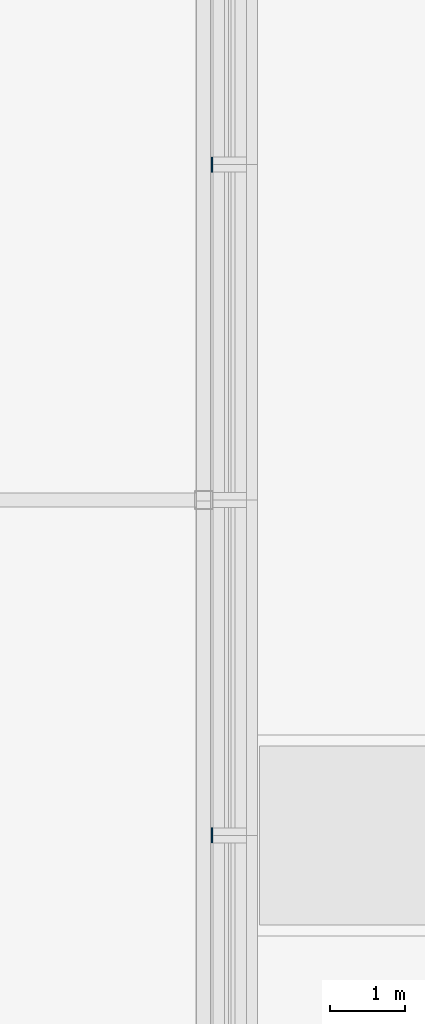
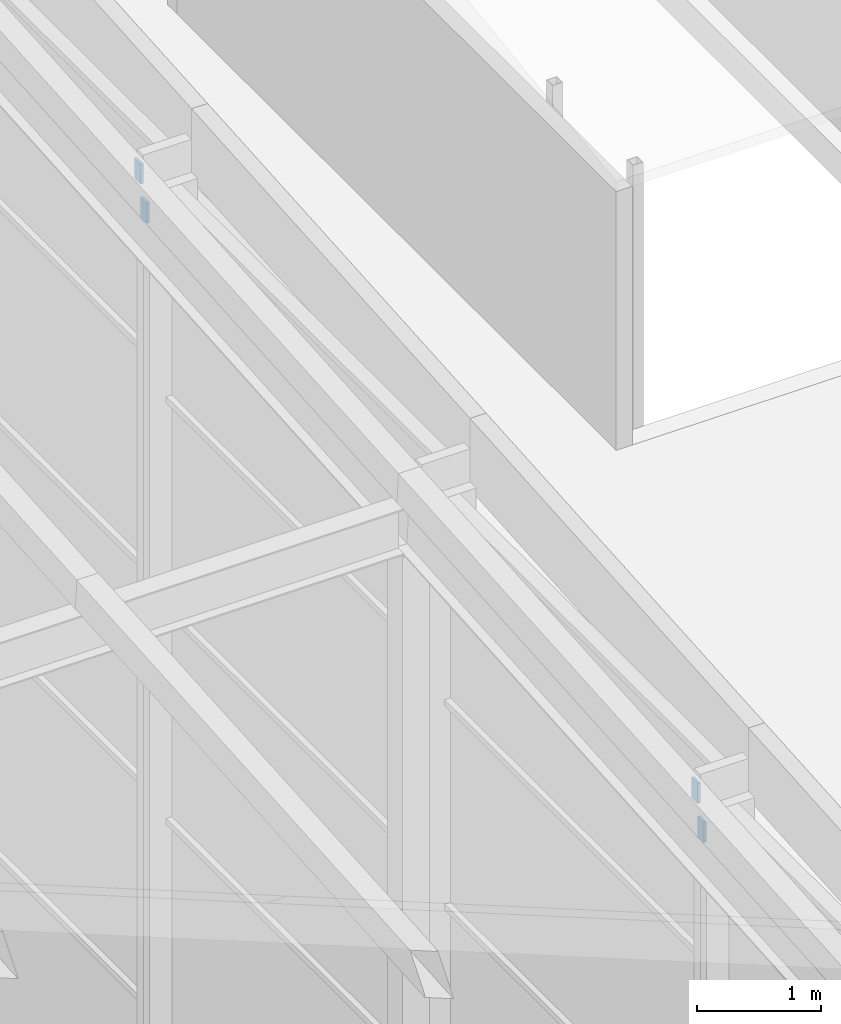
# One storey, part 69 of 84: 4 discrete accessories.
"""IFC4 building model written with IfcOpenShell, lengths in metres."""

from ifc_helpers import new_model, si_unit, direction, frame, origin, origin_2d, place, context, subcontext, project, spatial, rectangle, extrude, material, type_object, element, save


model = new_model("IFC4")

# Units and contexts
model_context = context("Model", 3, precision=1e-05, world=origin(), true_north=direction((0.0, 1.0)))
body_context = subcontext(model_context, "Body", "Model", "MODEL_VIEW")
ifc_project = project(units=[si_unit("LENGTHUNIT", "METRE"), si_unit("AREAUNIT", "SQUARE_METRE"), si_unit("VOLUMEUNIT", "CUBIC_METRE"), si_unit("PLANEANGLEUNIT", "RADIAN"), si_unit("MASSUNIT", "GRAM", prefix="KILO")], contexts=[model_context])

# Site, building, storey
site_placement = place(None, origin())
site = spatial("IfcSite", under=ifc_project, at=site_placement, CompositionType="ELEMENT")
building_placement = place(site_placement, origin())
building = spatial("IfcBuilding", under=site, at=building_placement, Name="Silverbay Arena", CompositionType="ELEMENT")
storey_placement = place(building_placement, frame((0.0, 0.0, 47.10009765625)))
storey = spatial("IfcBuildingStorey", under=building, at=storey_placement, Name="ROOF", CompositionType="ELEMENT", Elevation=47.10009765625)

# Discrete accessories
ifc_material = material(Name="Steel S355", Category="steel")
discrete_accessory_type = type_object("IfcDiscreteAccessoryType", Name="Steel bracket plate", PredefinedType="BRACKET", material=ifc_material)
for number, where, z_axis, x_axis, name in (
    (1, (180.112548828125, 49.449951171875, 9.919921875), (0.0, 0.0, 1.0), (1.0, 0.0, 0.0), "Curtain wall packing plate"),
    (2, (180.112548828125, 49.550048828125, 10.2451171875), (0.0, 0.0, 1.0), (1.0, 0.0, 0.0), "Curtain wall packing plate"),
    (3, (180.112548828125, 58.449951171875, 10.56982421875), (0.0, 0.0, 1.0), (1.0, 0.0, 0.0), "Curtain wall packing plate"),
    (4, (180.112548828125, 58.550048828125, 10.89501953125), (0.0, 0.0, 1.0), (1.0, 0.0, 0.0), "Curtain wall packing plate"),
):
    element("IfcDiscreteAccessory", number, at=place(storey_placement, frame(where, z_axis=z_axis, x_axis=x_axis)), inside=storey, type_object=discrete_accessory_type, Name=name, PredefinedType="BRACKET", context=body_context, shape_type="SweptSolid", body=[
        extrude(rectangle(XDim=0.02490234375, YDim=0.10009765625, at=origin_2d()), origin(), (0.0, 0.0, 1.0), 0.199951171875),
    ])

save(model, "model.ifc")
